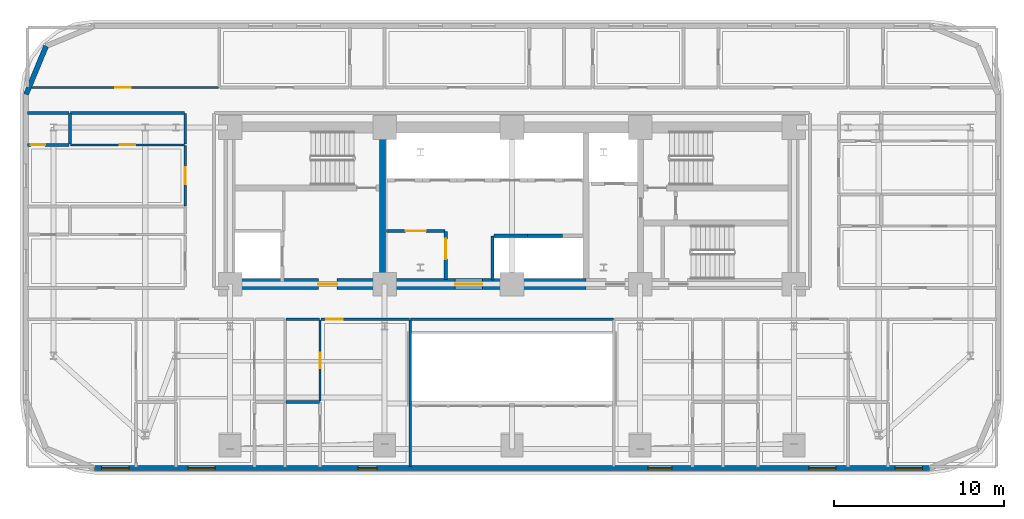
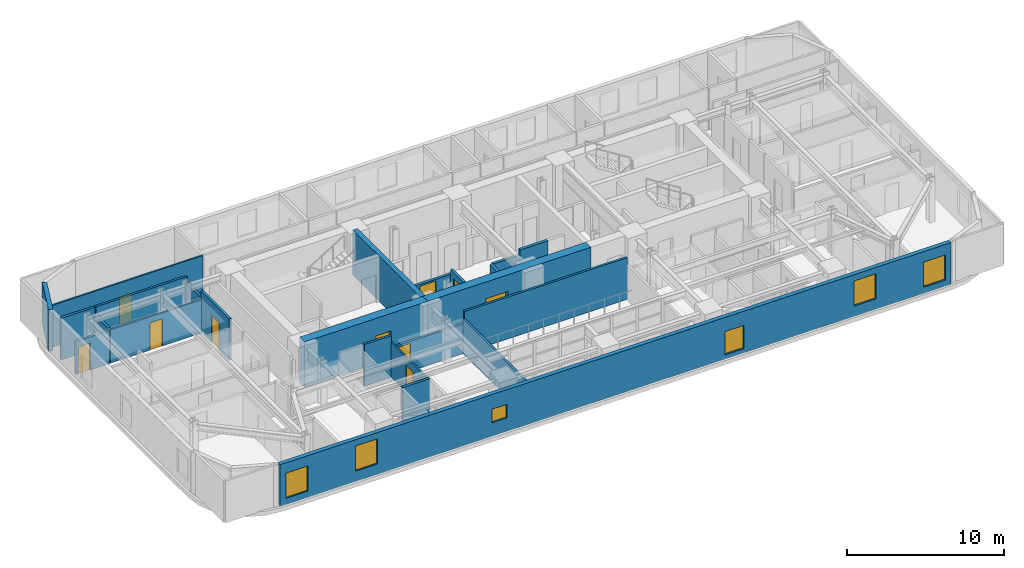
# One storey, part 9 of 16: 24 walls, 10 doors, 6 windows, 16 openings.
"""IFC4 building model written with IfcOpenShell, lengths in metres."""

from ifc_helpers import new_model, si_unit, direction, frame, frame_2d, origin, place, context, subcontext, project, spatial, rectangle, extrude, material, layer, layer_set, type_object, element, fill, save


model = new_model("IFC4")

# Units and contexts
model_context = context("Model", 3, precision=1e-05, world=origin(), true_north=direction((0.0, 1.0)))
body_context = subcontext(model_context, "Body", "Model", "MODEL_VIEW")
ifc_project = project(units=[si_unit("LENGTHUNIT", "METRE"), si_unit("AREAUNIT", "SQUARE_METRE"), si_unit("VOLUMEUNIT", "CUBIC_METRE"), si_unit("PLANEANGLEUNIT", "RADIAN"), si_unit("MASSUNIT", "GRAM", prefix="KILO")], contexts=[model_context])

# Site, building, storey
site_placement = place(None, origin())
site = spatial("IfcSite", under=ifc_project, at=site_placement, CompositionType="ELEMENT")
building_placement = place(site_placement, origin())
building = spatial("IfcBuilding", under=site, at=building_placement, Name="Zarnavel Station Tower", CompositionType="ELEMENT")
storey_placement = place(building_placement, frame((0.0, 0.0, 86.300048828125)))
storey = spatial("IfcBuildingStorey", under=building, at=storey_placement, Name="L23", CompositionType="ELEMENT", Elevation=86.300048828125)

# Wall
ifc_material_1 = material(Name="Concrete C50/60", Category="concrete")
ifc_layer_1 = layer(ifc_material_1, 0.35009765625)
ifc_layer_set_1 = layer_set([ifc_layer_1], Name="CW_350")
wall_type_1 = type_object("IfcWallType", Name="CW_350", PredefinedType="SHEAR", material=ifc_layer_set_1)
wall_1_placement = place(storey_placement, frame((21.179931640625, 28.14501953125, 0.0), z_axis=(0.0, 0.0, 1.0), x_axis=(0.0, 1.0, 0.0)))
element("IfcWall", 1, at=wall_1_placement, inside=storey, type_object=wall_type_1, Name="L23 Rear Core Shear Wall DIV-W", PredefinedType="SHEAR", context=body_context, shape_type="SweptSolid", body=[
    extrude(rectangle(XDim=8.580078125, YDim=0.35009765625, at=frame_2d((4.2900390625, 0.0))), origin(), (0.0, 0.0, 1.0), 3.5),
])

# Wall, opening, door
ifc_material_2 = material(Name="Concrete C60/75", Category="concrete")
ifc_layer_2 = layer(ifc_material_2, 0.64990234375)
ifc_layer_set_2 = layer_set([ifc_layer_2], Name="CW_650")
wall_type_2 = type_object("IfcWallType", Name="CW_650", PredefinedType="SHEAR", material=ifc_layer_set_2)
wall_2_placement = place(storey_placement, frame((21.179931640625, 27.820068359375, 0.0), z_axis=(0.0, 0.0, 1.0), x_axis=(-1.0, 0.0, 0.0)))
wall_2 = element("IfcWall", 2, at=wall_2_placement, inside=storey, type_object=wall_type_2, Name="L23 Rear Core Shear Wall S-W", PredefinedType="SHEAR", context=body_context, shape_type="SweptSolid", body=[
    extrude(rectangle(XDim=9.030029296875, YDim=0.64990234375, at=frame_2d((4.51513671875, 0.0))), origin(), (0.0, 0.0, 1.0), 3.5),
])
opening_1_placement = place(wall_2_placement, frame((2.679931640625, 0.0, 0.0)))
opening_1 = element("IfcOpeningElement", 3, at=opening_1_placement, cuts=wall_2, Name="Opening FD01", PredefinedType="OPENING", context=body_context, shape_type="SweptSolid", body=[
    extrude(rectangle(XDim=1.10009765625, YDim=2.14990234375, at=frame_2d((0.550048828125, 1.074951171875))), frame((0.0, 0.3349609375, 0.0), z_axis=(0.0, -1.0, 0.0), x_axis=(1.0, 0.0, 0.0)), (0.0, 0.0, 1.0), 0.669921875),
])
ifc_material_3 = material(Name="Painted Galvanised Steel and Hardwood Leaf", Category="steel")
door_type_1 = type_object("IfcDoorType", Name="ID_STAIR_1100", OperationType="NOTDEFINED", PredefinedType="DOOR", material=ifc_material_3)
door_1_placement = place(opening_1_placement, origin())
door_1 = element("IfcDoor", 4, at=door_1_placement, inside=storey, type_object=door_type_1, Name="L23 West Firefighting Lobby Door", OperationType="SINGLE_SWING_RIGHT", OverallHeight=2.14990234375, OverallWidth=1.10009765625, PredefinedType="DOOR", context=body_context, shape_type="SweptSolid", body=[
    extrude(rectangle(XDim=1.10009765625, YDim=2.14990234375, at=frame_2d((0.550048828125, 1.074951171875))), frame((0.0, 0.02490234375, 0.0), z_axis=(0.0, -1.0, 0.0), x_axis=(1.0, 0.0, 0.0)), (0.0, 0.0, 1.0), 0.050048828125),
])
fill(opening_1, door_1)

wall_3_placement = place(storey_placement, frame((33.14990234375, 27.820068359375, 0.0), z_axis=(0.0, 0.0, 1.0), x_axis=(-1.0, 0.0, 0.0)))
wall_3 = element("IfcWall", 5, at=wall_3_placement, inside=storey, type_object=wall_type_2, Name="L23 Rear Core Shear Wall S-M", PredefinedType="SHEAR", context=body_context, shape_type="SweptSolid", body=[
    extrude(rectangle(XDim=11.969970703125, YDim=0.64990234375, at=frame_2d((5.98486328125, 0.0))), origin(), (0.0, 0.0, 1.0), 3.5),
])
opening_2_placement = place(wall_3_placement, frame((6.10009765625, 0.0, 0.0)))
opening_2 = element("IfcOpeningElement", 6, at=opening_2_placement, cuts=wall_3, Name="Opening ID03", PredefinedType="OPENING", context=body_context, shape_type="SweptSolid", body=[
    extrude(rectangle(XDim=1.60009765625, YDim=2.199951171875, at=frame_2d((0.800048828125, 1.10009765625))), frame((0.0, 0.3349609375, 0.0), z_axis=(0.0, -1.0, 0.0), x_axis=(1.0, 0.0, 0.0)), (0.0, 0.0, 1.0), 0.669921875),
])
ifc_material_4 = material(Name="Painted Galvanised Steel and Hardwood Leaf", Category="steel")
door_type_2 = type_object("IfcDoorType", Name="ID_PUBLIC_1600", OperationType="DOUBLE_DOOR_SINGLE_SWING", PredefinedType="DOOR", material=ifc_material_4)
door_2_placement = place(opening_2_placement, origin())
door_2 = element("IfcDoor", 7, at=door_2_placement, inside=storey, type_object=door_type_2, Name="L23 Passenger Lift Lobby Double Door", OperationType="SINGLE_SWING_LEFT", OverallHeight=2.199951171875, OverallWidth=1.60009765625, PredefinedType="DOOR", context=body_context, shape_type="SweptSolid", body=[
    extrude(rectangle(XDim=1.60009765625, YDim=2.199951171875, at=frame_2d((0.800048828125, 1.10009765625))), frame((0.0, 0.02490234375, 0.0), z_axis=(0.0, -1.0, 0.0), x_axis=(1.0, 0.0, 0.0)), (0.0, 0.0, 1.0), 0.050048828125),
])
fill(opening_2, door_2)

# Wall
ifc_material_5 = material(Name="Precast concrete C45/55 (Dark Basalt Finish)", Category="masonry")
ifc_layer_3 = layer(ifc_material_5, 0.300048828125)
ifc_layer_set_3 = layer_set([ifc_layer_3], Name="EW_BASALT_300")
wall_type_3 = type_object("IfcWallType", Name="EW_BASALT_300", PredefinedType="SOLIDWALL", material=ifc_layer_set_3)
wall_4_placement = place(storey_placement, frame((0.179931640625, 39.0, 0.0), z_axis=(0.0, 0.0, 1.0), x_axis=(0.382704529509, 0.923870793506, 0.0)))
element("IfcWall", 8, at=wall_4_placement, inside=storey, type_object=wall_type_3, Name="L23 Exterior Basalt Masonry Frame Wall 08", PredefinedType="SOLIDWALL", context=body_context, shape_type="SweptSolid", body=[
    extrude(rectangle(XDim=3.07666015625, YDim=0.300048828125, at=frame_2d((1.538330078125, 0.0))), origin(), (0.0, 0.0, 1.0), 3.239990234375),
])

# Wall, openings, windows
wall_5_placement = place(storey_placement, frame((53.39990234375, 16.97998046875, 0.0), z_axis=(0.0, 0.0, 1.0), x_axis=(-1.0, 0.0, 0.0)))
wall_5 = element("IfcWall", 9, at=wall_5_placement, inside=storey, type_object=wall_type_3, Name="L23 Exterior Basalt Masonry Frame Wall 12", PredefinedType="SOLIDWALL", context=body_context, shape_type="SweptSolid", body=[
    extrude(rectangle(XDim=49.199951171875, YDim=0.300048828125, at=frame_2d((24.60009765625, 0.0))), origin(), (0.0, 0.0, 1.0), 3.239990234375),
])
opening_3_placement = place(wall_5_placement, frame((47.1650390625, 0.0, 0.47998046875)))
opening_3 = element("IfcOpeningElement", 10, at=opening_3_placement, cuts=wall_5, Name="Opening WN06", PredefinedType="OPENING", context=body_context, shape_type="SweptSolid", body=[
    extrude(rectangle(XDim=1.60009765625, YDim=1.949951171875, at=frame_2d((0.800048828125, 0.97509765625))), frame((0.0, 0.159912109375, 0.0), z_axis=(0.0, -1.0, 0.0), x_axis=(1.0, 0.0, 0.0)), (0.0, 0.0, 1.0), 0.320068359375),
])
opening_4_placement = place(wall_5_placement, frame((42.080078125, 0.0, 0.800048828125)))
opening_4 = element("IfcOpeningElement", 11, at=opening_4_placement, cuts=wall_5, Name="Opening WN06", PredefinedType="OPENING", context=body_context, shape_type="SweptSolid", body=[
    extrude(rectangle(XDim=1.60009765625, YDim=1.949951171875, at=frame_2d((0.800048828125, 0.97509765625))), frame((0.0, 0.159912109375, 0.0), z_axis=(0.0, -1.0, 0.0), x_axis=(1.0, 0.0, 0.0)), (0.0, 0.0, 1.0), 0.320068359375),
])
opening_5_placement = place(wall_5_placement, frame((32.560546875, 0.0, 1.050048828125)))
opening_5 = element("IfcOpeningElement", 12, at=opening_5_placement, cuts=wall_5, Name="Opening WN09", PredefinedType="OPENING", context=body_context, shape_type="SweptSolid", body=[
    extrude(rectangle(XDim=1.10009765625, YDim=1.050048828125, at=frame_2d((0.550048828125, 0.52490234375))), frame((0.0, 0.159912109375, 0.0), z_axis=(0.0, -1.0, 0.0), x_axis=(1.0, 0.0, 0.0)), (0.0, 0.0, 1.0), 0.320068359375),
])
opening_6_placement = place(wall_5_placement, frame((15.189453125, 0.0, 0.340087890625)))
opening_6 = element("IfcOpeningElement", 13, at=opening_6_placement, cuts=wall_5, Name="Opening WN01", PredefinedType="OPENING", context=body_context, shape_type="SweptSolid", body=[
    extrude(rectangle(XDim=1.39990234375, YDim=1.800048828125, at=frame_2d((0.699951171875, 0.89990234375))), frame((0.0, 0.159912109375, 0.0), z_axis=(0.0, -1.0, 0.0), x_axis=(1.0, 0.0, 0.0)), (0.0, 0.0, 1.0), 0.320068359375),
])
opening_7_placement = place(wall_5_placement, frame((5.519775390625, 0.0, 0.800048828125)))
opening_7 = element("IfcOpeningElement", 14, at=opening_7_placement, cuts=wall_5, Name="Opening WN06", PredefinedType="OPENING", context=body_context, shape_type="SweptSolid", body=[
    extrude(rectangle(XDim=1.60009765625, YDim=1.949951171875, at=frame_2d((0.800048828125, 0.97509765625))), frame((0.0, 0.159912109375, 0.0), z_axis=(0.0, -1.0, 0.0), x_axis=(1.0, 0.0, 0.0)), (0.0, 0.0, 1.0), 0.320068359375),
])
opening_8_placement = place(wall_5_placement, frame((0.43505859375, 0.0, 0.47998046875)))
opening_8 = element("IfcOpeningElement", 15, at=opening_8_placement, cuts=wall_5, Name="Opening WN06", PredefinedType="OPENING", context=body_context, shape_type="SweptSolid", body=[
    extrude(rectangle(XDim=1.60009765625, YDim=1.949951171875, at=frame_2d((0.800048828125, 0.97509765625))), frame((0.0, 0.159912109375, 0.0), z_axis=(0.0, -1.0, 0.0), x_axis=(1.0, 0.0, 0.0)), (0.0, 0.0, 1.0), 0.320068359375),
])
ifc_material_6 = material(Name="Thermally Broken Black Aluminium and Low-E Dark Glass", Category="aluminium")
window_type_1 = type_object("IfcWindowType", Name="WN_1100x1050", PartitioningType="SINGLE_PANEL", PredefinedType="WINDOW", material=ifc_material_6)
window_1_placement = place(opening_5_placement, origin())
window_1 = element("IfcWindow", 16, at=window_1_placement, inside=storey, type_object=window_type_1, Name="L23 Recessed Facade Window 03", OverallHeight=1.050048828125, OverallWidth=1.10009765625, PartitioningType="SINGLE_PANEL", PredefinedType="WINDOW", context=body_context, shape_type="SweptSolid", body=[
    extrude(rectangle(XDim=1.10009765625, YDim=1.050048828125, at=frame_2d((0.550048828125, 0.52490234375))), frame((0.0, 0.030029296875, 0.0), z_axis=(0.0, -1.0, 0.0), x_axis=(1.0, 0.0, 0.0)), (0.0, 0.0, 1.0), 0.06005859375),
])
fill(opening_5, window_1)
ifc_material_7 = material(Name="Thermally Broken Black Aluminium and Low-E Dark Glass", Category="aluminium")
window_type_2 = type_object("IfcWindowType", Name="WN_1400x1800", PartitioningType="DOUBLE_PANEL_VERTICAL", PredefinedType="WINDOW", material=ifc_material_7)
window_2_placement = place(opening_6_placement, origin())
window_2 = element("IfcWindow", 17, at=window_2_placement, inside=storey, type_object=window_type_2, Name="L23 Recessed Facade Window 04", OverallHeight=1.800048828125, OverallWidth=1.39990234375, PartitioningType="SINGLE_PANEL", PredefinedType="WINDOW", context=body_context, shape_type="SweptSolid", body=[
    extrude(rectangle(XDim=1.39990234375, YDim=1.800048828125, at=frame_2d((0.699951171875, 0.89990234375))), frame((0.0, 0.030029296875, 0.0), z_axis=(0.0, -1.0, 0.0), x_axis=(1.0, 0.0, 0.0)), (0.0, 0.0, 1.0), 0.06005859375),
])
fill(opening_6, window_2)
ifc_material_8 = material(Name="Thermally Broken Black Aluminium and Low-E Dark Glass", Category="aluminium")
window_type_3 = type_object("IfcWindowType", Name="WN_1600x1950", PartitioningType="DOUBLE_PANEL_VERTICAL", PredefinedType="WINDOW", material=ifc_material_8)
window_3_placement = place(opening_3_placement, origin())
window_3 = element("IfcWindow", 18, at=window_3_placement, inside=storey, type_object=window_type_3, Name="L23 Recessed Facade Window 01", OverallHeight=1.949951171875, OverallWidth=1.60009765625, PartitioningType="SINGLE_PANEL", PredefinedType="WINDOW", context=body_context, shape_type="SweptSolid", body=[
    extrude(rectangle(XDim=1.60009765625, YDim=1.949951171875, at=frame_2d((0.800048828125, 0.97509765625))), frame((0.0, 0.030029296875, 0.0), z_axis=(0.0, -1.0, 0.0), x_axis=(1.0, 0.0, 0.0)), (0.0, 0.0, 1.0), 0.06005859375),
])
fill(opening_3, window_3)
window_4_placement = place(opening_4_placement, origin())
window_4 = element("IfcWindow", 19, at=window_4_placement, inside=storey, type_object=window_type_3, Name="L23 Recessed Facade Window 02", OverallHeight=1.949951171875, OverallWidth=1.60009765625, PartitioningType="SINGLE_PANEL", PredefinedType="WINDOW", context=body_context, shape_type="SweptSolid", body=[
    extrude(rectangle(XDim=1.60009765625, YDim=1.949951171875, at=frame_2d((0.800048828125, 0.97509765625))), frame((0.0, 0.030029296875, 0.0), z_axis=(0.0, -1.0, 0.0), x_axis=(1.0, 0.0, 0.0)), (0.0, 0.0, 1.0), 0.06005859375),
])
fill(opening_4, window_4)
window_5_placement = place(opening_7_placement, origin())
window_5 = element("IfcWindow", 20, at=window_5_placement, inside=storey, type_object=window_type_3, Name="L23 Recessed Facade Window 05", OverallHeight=1.949951171875, OverallWidth=1.60009765625, PartitioningType="SINGLE_PANEL", PredefinedType="WINDOW", context=body_context, shape_type="SweptSolid", body=[
    extrude(rectangle(XDim=1.60009765625, YDim=1.949951171875, at=frame_2d((0.800048828125, 0.97509765625))), frame((0.0, 0.030029296875, 0.0), z_axis=(0.0, -1.0, 0.0), x_axis=(1.0, 0.0, 0.0)), (0.0, 0.0, 1.0), 0.06005859375),
])
fill(opening_7, window_5)
window_6_placement = place(opening_8_placement, origin())
window_6 = element("IfcWindow", 21, at=window_6_placement, inside=storey, type_object=window_type_3, Name="L23 Recessed Facade Window 06", OverallHeight=1.949951171875, OverallWidth=1.60009765625, PartitioningType="SINGLE_PANEL", PredefinedType="WINDOW", context=body_context, shape_type="SweptSolid", body=[
    extrude(rectangle(XDim=1.60009765625, YDim=1.949951171875, at=frame_2d((0.800048828125, 0.97509765625))), frame((0.0, 0.030029296875, 0.0), z_axis=(0.0, -1.0, 0.0), x_axis=(1.0, 0.0, 0.0)), (0.0, 0.0, 1.0), 0.06005859375),
])
fill(opening_8, window_6)

# Wall, opening, door
ifc_material_9 = material(Name="Gypsum Twin-Stud Acoustic Fire Partition", Category="concrete")
ifc_layer_4 = layer(ifc_material_9, 0.159912109375)
ifc_layer_set_4 = layer_set([ifc_layer_4], Name="PT_DEMISE_160")
wall_type_4 = type_object("IfcWallType", Name="PT_DEMISE_160", PredefinedType="PARTITIONING", material=ifc_layer_set_4)
wall_6_placement = place(storey_placement, frame((17.541015625, 25.75, 0.0), z_axis=(0.0, 0.0, 1.0), x_axis=(1.0, 0.0, 0.0)))
wall_6 = element("IfcWall", 22, at=wall_6_placement, inside=storey, type_object=wall_type_4, Name="L23 Partition COR-S-HW3R", PredefinedType="PARTITIONING", context=body_context, shape_type="SweptSolid", body=[
    extrude(rectangle(XDim=5.218994140625, YDim=0.159912109375, at=frame_2d((2.609375, 0.0))), origin(), (0.0, 0.0, 1.0), 2.31005859375),
])
opening_9_placement = place(wall_6_placement, frame((0.30419921875, 0.0, 0.0)))
opening_9 = element("IfcOpeningElement", 23, at=opening_9_placement, cuts=wall_6, Name="Opening FD02", PredefinedType="OPENING", context=body_context, shape_type="SweptSolid", body=[
    extrude(rectangle(XDim=1.0, YDim=2.14990234375, at=frame_2d((0.5, 1.074951171875))), frame((0.0, 0.08984375, 0.0), z_axis=(0.0, -1.0, 0.0), x_axis=(1.0, 0.0, 0.0)), (0.0, 0.0, 1.0), 0.179931640625),
])
ifc_material_10 = material(Name="Painted Galvanised Steel and Hardwood Leaf", Category="steel")
door_type_3 = type_object("IfcDoorType", Name="ID_ENTRY_1000", OperationType="NOTDEFINED", PredefinedType="DOOR", material=ifc_material_10)
door_3_placement = place(opening_9_placement, origin())
door_3 = element("IfcDoor", 24, at=door_3_placement, inside=storey, type_object=door_type_3, Name="L23 Door COR-S-HW3R", OperationType="SINGLE_SWING_LEFT", OverallHeight=2.14990234375, OverallWidth=1.0, PredefinedType="DOOR", context=body_context, shape_type="SweptSolid", body=[
    extrude(rectangle(XDim=1.0, YDim=2.14990234375, at=frame_2d((0.5, 1.074951171875))), frame((0.0, 0.02490234375, 0.0), z_axis=(0.0, -1.0, 0.0), x_axis=(1.0, 0.0, 0.0)), (0.0, 0.0, 1.0), 0.050048828125),
])
fill(opening_9, door_3)

# Wall
wall_7_placement = place(storey_placement, frame((15.47998046875, 25.75, 0.0), z_axis=(0.0, 0.0, 1.0), x_axis=(1.0, 0.0, 0.0)))
element("IfcWall", 25, at=wall_7_placement, inside=storey, type_object=wall_type_4, Name="L23 Partition COR-S-HW3S", PredefinedType="PARTITIONING", context=body_context, shape_type="SweptSolid", body=[
    extrude(rectangle(XDim=1.98095703125, YDim=0.159912109375, at=frame_2d((0.990478515625, 0.0))), origin(), (0.0, 0.0, 1.0), 3.239990234375),
])

# Wall, opening, door
wall_8_placement = place(storey_placement, frame((9.550048828125, 32.430908203125, 0.0), z_axis=(0.0, 0.0, 1.0), x_axis=(0.0, 1.0, 0.0)))
wall_8 = element("IfcWall", 26, at=wall_8_placement, inside=storey, type_object=wall_type_4, Name="L23 Partition COR-W-FNW2R", PredefinedType="PARTITIONING", context=body_context, shape_type="SweptSolid", body=[
    extrude(rectangle(XDim=3.55615234375, YDim=0.159912109375, at=frame_2d((1.778076171875, 0.0))), origin(), (0.0, 0.0, 1.0), 3.239990234375),
])
opening_10_placement = place(wall_8_placement, frame((1.278076171875, 0.0, 0.0)))
opening_10 = element("IfcOpeningElement", 27, at=opening_10_placement, cuts=wall_8, Name="Opening FD02", PredefinedType="OPENING", context=body_context, shape_type="SweptSolid", body=[
    extrude(rectangle(XDim=1.0, YDim=2.14990234375, at=frame_2d((0.5, 1.074951171875))), frame((0.0, 0.08984375, 0.0), z_axis=(0.0, -1.0, 0.0), x_axis=(1.0, 0.0, 0.0)), (0.0, 0.0, 1.0), 0.179931640625),
])
door_4_placement = place(opening_10_placement, origin())
door_4 = element("IfcDoor", 28, at=door_4_placement, inside=storey, type_object=door_type_3, Name="L23 Door COR-W-FNW2R", OperationType="SINGLE_SWING_RIGHT", OverallHeight=2.14990234375, OverallWidth=1.0, PredefinedType="DOOR", context=body_context, shape_type="SweptSolid", body=[
    extrude(rectangle(XDim=1.0, YDim=2.14990234375, at=frame_2d((0.5, 1.074951171875))), frame((0.0, 0.02490234375, 0.0), z_axis=(0.0, -1.0, 0.0), x_axis=(1.0, 0.0, 0.0)), (0.0, 0.0, 1.0), 0.050048828125),
])
fill(opening_10, door_4)

# Walls
wall_9_placement = place(storey_placement, frame((9.550048828125, 36.06689453125, 0.0), z_axis=(0.0, 0.0, 1.0), x_axis=(0.0, 1.0, 0.0)))
element("IfcWall", 29, at=wall_9_placement, inside=storey, type_object=wall_type_4, Name="L23 Partition COR-W-FNW2S", PredefinedType="PARTITIONING", context=body_context, shape_type="SweptSolid", body=[
    extrude(rectangle(XDim=1.793212890625, YDim=0.159912109375, at=frame_2d((0.896484375, 0.0))), origin(), (0.0, 0.0, 1.0), 2.719970703125),
])
wall_10_placement = place(storey_placement, frame((2.800048828125, 37.89990234375, 0.0), z_axis=(0.0, 0.0, 1.0), x_axis=(1.0, 0.0, 0.0)))
element("IfcWall", 30, at=wall_10_placement, inside=storey, type_object=wall_type_4, Name="L23 Partition COR-N-FNW2S", PredefinedType="PARTITIONING", context=body_context, shape_type="SweptSolid", body=[
    extrude(rectangle(XDim=6.7099609375, YDim=0.159912109375, at=frame_2d((3.35498046875, 0.0))), origin(), (0.0, 0.0, 1.0), 3.239990234375),
])
wall_11_placement = place(storey_placement, frame((22.830078125, 25.75, 0.0), z_axis=(0.0, 0.0, 1.0), x_axis=(1.0, 0.0, 0.0)))
element("IfcWall", 31, at=wall_11_placement, inside=storey, type_object=wall_type_4, Name="L23 Enclosure Wall COR-S", PredefinedType="PARTITIONING", context=body_context, shape_type="SweptSolid", body=[
    extrude(rectangle(XDim=11.93994140625, YDim=0.159912109375, at=frame_2d((5.969970703125, 0.0))), origin(), (0.0, 0.0, 1.0), 3.239990234375),
])
wall_12_placement = place(storey_placement, frame((22.800048828125, 17.090087890625, 0.0), z_axis=(0.0, 0.0, 1.0), x_axis=(0.0, 1.0, 0.0)))
element("IfcWall", 32, at=wall_12_placement, inside=storey, type_object=wall_type_4, Name="L23 Enclosure Wall HW3R", PredefinedType="PARTITIONING", context=body_context, shape_type="SweptSolid", body=[
    extrude(rectangle(XDim=8.6298828125, YDim=0.159912109375, at=frame_2d((4.31494140625, 0.0))), origin(), (0.0, 0.0, 1.0), 2.679931640625),
])

# Wall, opening, door
ifc_material_11 = material(Name="Gypsum Metal-Stud Interior Partition", Category="concrete")
ifc_layer_5 = layer(ifc_material_11, 0.1201171875)
ifc_layer_set_5 = layer_set([ifc_layer_5], Name="PT_ROOM_120")
wall_type_5 = type_object("IfcWallType", Name="PT_ROOM_120", PredefinedType="PARTITIONING", material=ifc_layer_set_5)
wall_13_placement = place(storey_placement, frame((0.260009765625, 39.39990234375, 0.0), z_axis=(0.0, 0.0, 1.0), x_axis=(1.0, 0.0, 0.0)))
wall_13 = element("IfcWall", 33, at=wall_13_placement, inside=storey, type_object=wall_type_5, Name="L23 Partition COR-N-HSKP", PredefinedType="PARTITIONING", context=body_context, shape_type="SweptSolid", body=[
    extrude(rectangle(XDim=11.260009765625, YDim=0.1201171875, at=frame_2d((5.6298828125, 0.0))), origin(), (0.0, 0.0, 1.0), 3.239990234375),
])
opening_11_placement = place(wall_13_placement, frame((5.179931640625, 0.0, 0.0)))
opening_11 = element("IfcOpeningElement", 34, at=opening_11_placement, cuts=wall_13, Name="Opening ID01", PredefinedType="OPENING", context=body_context, shape_type="SweptSolid", body=[
    extrude(rectangle(XDim=0.89990234375, YDim=2.10009765625, at=frame_2d((0.449951171875, 1.050048828125))), frame((0.0, 0.070068359375, 0.0), z_axis=(0.0, -1.0, 0.0), x_axis=(1.0, 0.0, 0.0)), (0.0, 0.0, 1.0), 0.14013671875),
])
ifc_material_12 = material(Name="Painted Galvanised Steel and Hardwood Leaf", Category="steel")
door_type_4 = type_object("IfcDoorType", Name="ID_ROOM_900", OperationType="NOTDEFINED", PredefinedType="DOOR", material=ifc_material_12)
door_5_placement = place(opening_11_placement, origin())
door_5 = element("IfcDoor", 35, at=door_5_placement, inside=storey, type_object=door_type_4, Name="L23 Door COR-N-HSKP", OperationType="SINGLE_SWING_LEFT", OverallHeight=2.10009765625, OverallWidth=0.89990234375, PredefinedType="DOOR", context=body_context, shape_type="SweptSolid", body=[
    extrude(rectangle(XDim=0.89990234375, YDim=2.10009765625, at=frame_2d((0.449951171875, 1.050048828125))), frame((0.0, 0.02490234375, 0.0), z_axis=(0.0, -1.0, 0.0), x_axis=(1.0, 0.0, 0.0)), (0.0, 0.0, 1.0), 0.050048828125),
])
fill(opening_11, door_5)

wall_14_placement = place(storey_placement, frame((2.800048828125, 36.027099609375, 0.0), z_axis=(0.0, 0.0, 1.0), x_axis=(1.0, 0.0, 0.0)))
wall_14 = element("IfcWall", 36, at=wall_14_placement, inside=storey, type_object=wall_type_5, Name="L23 Partition FNW2R-FNW2S", PredefinedType="PARTITIONING", context=body_context, shape_type="SweptSolid", body=[
    extrude(rectangle(XDim=6.7099609375, YDim=0.1201171875, at=frame_2d((3.35498046875, 0.0))), origin(), (0.0, 0.0, 1.0), 2.570068359375),
])
opening_12_placement = place(wall_14_placement, frame((2.905029296875, 0.0, 0.0)))
opening_12 = element("IfcOpeningElement", 37, at=opening_12_placement, cuts=wall_14, Name="Opening ID01", PredefinedType="OPENING", context=body_context, shape_type="SweptSolid", body=[
    extrude(rectangle(XDim=0.89990234375, YDim=2.10009765625, at=frame_2d((0.449951171875, 1.050048828125))), frame((0.0, 0.070068359375, 0.0), z_axis=(0.0, -1.0, 0.0), x_axis=(1.0, 0.0, 0.0)), (0.0, 0.0, 1.0), 0.14013671875),
])
door_6_placement = place(opening_12_placement, origin())
door_6 = element("IfcDoor", 38, at=door_6_placement, inside=storey, type_object=door_type_4, Name="L23 Door FNW2R-FNW2S", OperationType="SINGLE_SWING_RIGHT", OverallHeight=2.10009765625, OverallWidth=0.89990234375, PredefinedType="DOOR", context=body_context, shape_type="SweptSolid", body=[
    extrude(rectangle(XDim=0.89990234375, YDim=2.10009765625, at=frame_2d((0.449951171875, 1.050048828125))), frame((0.0, 0.02490234375, 0.0), z_axis=(0.0, -1.0, 0.0), x_axis=(1.0, 0.0, 0.0)), (0.0, 0.0, 1.0), 0.050048828125),
])
fill(opening_12, door_6)

wall_15_placement = place(storey_placement, frame((17.5009765625, 20.924072265625, 0.0), z_axis=(0.0, 0.0, 1.0), x_axis=(0.0, 1.0, 0.0)))
wall_15 = element("IfcWall", 39, at=wall_15_placement, inside=storey, type_object=wall_type_5, Name="L23 Partition HW3R-HW3S", PredefinedType="PARTITIONING", context=body_context, shape_type="SweptSolid", body=[
    extrude(rectangle(XDim=4.785888671875, YDim=0.1201171875, at=frame_2d((2.39306640625, 0.0))), origin(), (0.0, 0.0, 1.0), 2.719970703125),
])
opening_13_placement = place(wall_15_placement, frame((1.943115234375, 0.0, 0.0)))
opening_13 = element("IfcOpeningElement", 40, at=opening_13_placement, cuts=wall_15, Name="Opening ID01", PredefinedType="OPENING", context=body_context, shape_type="SweptSolid", body=[
    extrude(rectangle(XDim=0.89990234375, YDim=2.10009765625, at=frame_2d((0.449951171875, 1.050048828125))), frame((0.0, 0.070068359375, 0.0), z_axis=(0.0, -1.0, 0.0), x_axis=(1.0, 0.0, 0.0)), (0.0, 0.0, 1.0), 0.14013671875),
])
door_7_placement = place(opening_13_placement, origin())
door_7 = element("IfcDoor", 41, at=door_7_placement, inside=storey, type_object=door_type_4, Name="L23 Door HW3R-HW3S", OperationType="SINGLE_SWING_LEFT", OverallHeight=2.10009765625, OverallWidth=0.89990234375, PredefinedType="DOOR", context=body_context, shape_type="SweptSolid", body=[
    extrude(rectangle(XDim=0.89990234375, YDim=2.10009765625, at=frame_2d((0.449951171875, 1.050048828125))), frame((0.0, 0.02490234375, 0.0), z_axis=(0.0, -1.0, 0.0), x_axis=(1.0, 0.0, 0.0)), (0.0, 0.0, 1.0), 0.050048828125),
])
fill(opening_13, door_7)

# Walls
ifc_material_13 = material(Name="Precast concrete C45/55 (Fire Shaft Blockwork)", Category="masonry")
ifc_layer_6 = layer(ifc_material_13, 0.199951171875)
ifc_layer_set_6 = layer_set([ifc_layer_6], Name="PT_SHAFT_200")
wall_type_6 = type_object("IfcWallType", Name="PT_SHAFT_200", PredefinedType="PARTITIONING", material=ifc_layer_set_6)
wall_16_placement = place(storey_placement, frame((27.75, 30.669921875, 0.0), z_axis=(0.0, 0.0, 1.0), x_axis=(1.0, 0.0, 0.0)))
element("IfcWall", 42, at=wall_16_placement, inside=storey, type_object=wall_type_6, Name="L23 Lift PL-H1 Shaft Front Wall", PredefinedType="PARTITIONING", context=body_context, shape_type="SweptSolid", body=[
    extrude(rectangle(XDim=1.97509765625, YDim=0.199951171875, at=frame_2d((0.987548828125, 0.0))), origin(), (0.0, 0.0, 1.0), 2.2119140625),
])
wall_17_placement = place(storey_placement, frame((27.64990234375, 28.070068359375, 0.0), z_axis=(0.0, 0.0, 1.0), x_axis=(0.0, 1.0, 0.0)))
element("IfcWall", 43, at=wall_17_placement, inside=storey, type_object=wall_type_6, Name="L23 High-Rise Lift Bank West Shaft Wall", PredefinedType="PARTITIONING", context=body_context, shape_type="SweptSolid", body=[
    extrude(rectangle(XDim=2.579833984375, YDim=0.199951171875, at=frame_2d((1.2900390625, 0.0))), origin(), (0.0, 0.0, 1.0), 2.2119140625),
])
wall_18_placement = place(storey_placement, frame((29.72509765625, 30.669921875, 0.0), z_axis=(0.0, 0.0, 1.0), x_axis=(1.0, 0.0, 0.0)))
element("IfcWall", 44, at=wall_18_placement, inside=storey, type_object=wall_type_6, Name="L23 Lift PL-H2 Shaft Front Wall", PredefinedType="PARTITIONING", context=body_context, shape_type="SweptSolid", body=[
    extrude(rectangle(XDim=2.0498046875, YDim=0.199951171875, at=frame_2d((1.02490234375, 0.0))), origin(), (0.0, 0.0, 1.0), 2.619873046875),
])

# Wall, opening, door
wall_19_placement = place(storey_placement, frame((21.39990234375, 30.949951171875, 0.0), z_axis=(0.0, 0.0, 1.0), x_axis=(1.0, 0.0, 0.0)))
wall_19 = element("IfcWall", 45, at=wall_19_placement, inside=storey, type_object=wall_type_6, Name="L23 Partition LLOB-CS1", PredefinedType="PARTITIONING", context=body_context, shape_type="SweptSolid", body=[
    extrude(rectangle(XDim=3.460205078125, YDim=0.199951171875, at=frame_2d((1.72998046875, 0.0))), origin(), (0.0, 0.0, 1.0), 2.280029296875),
])
opening_14_placement = place(wall_19_placement, frame((1.1298828125, 0.0, 0.0)))
opening_14 = element("IfcOpeningElement", 46, at=opening_14_placement, cuts=wall_19, Name="Opening FD03", PredefinedType="OPENING", context=body_context, shape_type="SweptSolid", body=[
    extrude(rectangle(XDim=1.199951171875, YDim=2.14990234375, at=frame_2d((0.60009765625, 1.074951171875))), frame((0.0, 0.10986328125, 0.0), z_axis=(0.0, -1.0, 0.0), x_axis=(1.0, 0.0, 0.0)), (0.0, 0.0, 1.0), 0.219970703125),
])
ifc_material_14 = material(Name="Painted Galvanised Steel and Hardwood Leaf", Category="steel")
door_type_5 = type_object("IfcDoorType", Name="ID_PLANT_1200", OperationType="NOTDEFINED", PredefinedType="DOOR", material=ifc_material_14)
door_8_placement = place(opening_14_placement, origin())
door_8 = element("IfcDoor", 47, at=door_8_placement, inside=storey, type_object=door_type_5, Name="L23 Door LLOB-CS1", OperationType="SINGLE_SWING_LEFT", OverallHeight=2.14990234375, OverallWidth=1.199951171875, PredefinedType="DOOR", context=body_context, shape_type="SweptSolid", body=[
    extrude(rectangle(XDim=1.199951171875, YDim=2.14990234375, at=frame_2d((0.60009765625, 1.074951171875))), frame((0.0, 0.02490234375, 0.0), z_axis=(0.0, -1.0, 0.0), x_axis=(1.0, 0.0, 0.0)), (0.0, 0.0, 1.0), 0.050048828125),
])
fill(opening_14, door_8)

wall_20_placement = place(storey_placement, frame((24.89990234375, 28.090087890625, 0.0), z_axis=(0.0, 0.0, 1.0), x_axis=(0.0, 1.0, 0.0)))
wall_20 = element("IfcWall", 48, at=wall_20_placement, inside=storey, type_object=wall_type_6, Name="L23 Partition LLOBS-CS1", PredefinedType="PARTITIONING", context=body_context, shape_type="SweptSolid", body=[
    extrude(rectangle(XDim=2.81982421875, YDim=0.199951171875, at=frame_2d((1.409912109375, 0.0))), origin(), (0.0, 0.0, 1.0), 2.619873046875),
])
opening_15_placement = place(wall_20_placement, frame((1.20068359375, 0.0, 0.0)))
opening_15 = element("IfcOpeningElement", 49, at=opening_15_placement, cuts=wall_20, Name="Opening FD03", PredefinedType="OPENING", context=body_context, shape_type="SweptSolid", body=[
    extrude(rectangle(XDim=1.199951171875, YDim=2.14990234375, at=frame_2d((0.60009765625, 1.074951171875))), frame((0.0, 0.10986328125, 0.0), z_axis=(0.0, -1.0, 0.0), x_axis=(1.0, 0.0, 0.0)), (0.0, 0.0, 1.0), 0.219970703125),
])
door_9_placement = place(opening_15_placement, origin())
door_9 = element("IfcDoor", 50, at=door_9_placement, inside=storey, type_object=door_type_5, Name="L23 Door LLOBS-CS1", OperationType="SINGLE_SWING_RIGHT", OverallHeight=2.14990234375, OverallWidth=1.199951171875, PredefinedType="DOOR", context=body_context, shape_type="SweptSolid", body=[
    extrude(rectangle(XDim=1.199951171875, YDim=2.14990234375, at=frame_2d((0.60009765625, 1.074951171875))), frame((0.0, 0.02490234375, 0.0), z_axis=(0.0, -1.0, 0.0), x_axis=(1.0, 0.0, 0.0)), (0.0, 0.0, 1.0), 0.050048828125),
])
fill(opening_15, door_9)

# Wall
ifc_material_15 = material(Name="Moisture-Resistant Plumbing Chase Wall", Category="concrete")
ifc_layer_7 = layer(ifc_material_15, 0.179931640625)
ifc_layer_set_7 = layer_set([ifc_layer_7], Name="PW_PLUMB_180")
wall_type_7 = type_object("IfcWallType", Name="PW_PLUMB_180", PredefinedType="PLUMBINGWALL", material=ifc_layer_set_7)
wall_21_placement = place(storey_placement, frame((0.260009765625, 37.89990234375, 0.0), z_axis=(0.0, 0.0, 1.0), x_axis=(1.0, 0.0, 0.0)))
element("IfcWall", 51, at=wall_21_placement, inside=storey, type_object=wall_type_7, Name="L23 Partition COR-N-FNW2B", PredefinedType="PLUMBINGWALL", context=body_context, shape_type="SweptSolid", body=[
    extrude(rectangle(XDim=2.4599609375, YDim=0.179931640625, at=frame_2d((1.22998046875, 0.0))), origin(), (0.0, 0.0, 1.0), 3.239990234375),
])

# Wall, opening, door
wall_22_placement = place(storey_placement, frame((0.260009765625, 36.027099609375, 0.0), z_axis=(0.0, 0.0, 1.0), x_axis=(1.0, 0.0, 0.0)))
wall_22 = element("IfcWall", 52, at=wall_22_placement, inside=storey, type_object=wall_type_7, Name="L23 Partition FNW2R-FNW2B", PredefinedType="PLUMBINGWALL", context=body_context, shape_type="SweptSolid", body=[
    extrude(rectangle(XDim=2.4599609375, YDim=0.179931640625, at=frame_2d((1.22998046875, 0.0))), origin(), (0.0, 0.0, 1.0), 2.570068359375),
])
opening_16_placement = place(wall_22_placement, frame((0.1953125, 0.0, 0.0)))
opening_16 = element("IfcOpeningElement", 53, at=opening_16_placement, cuts=wall_22, Name="Opening ID02", PredefinedType="OPENING", context=body_context, shape_type="SweptSolid", body=[
    extrude(rectangle(XDim=0.85009765625, YDim=2.10009765625, at=frame_2d((0.425048828125, 1.050048828125))), frame((0.0, 0.099853515625, 0.0), z_axis=(0.0, -1.0, 0.0), x_axis=(1.0, 0.0, 0.0)), (0.0, 0.0, 1.0), 0.199951171875),
])
ifc_material_16 = material(Name="Painted Galvanised Steel and Hardwood Leaf", Category="steel")
door_type_6 = type_object("IfcDoorType", Name="ID_BATH_850", OperationType="NOTDEFINED", PredefinedType="DOOR", material=ifc_material_16)
door_10_placement = place(opening_16_placement, origin())
door_10 = element("IfcDoor", 54, at=door_10_placement, inside=storey, type_object=door_type_6, Name="L23 Door FNW2R-FNW2B", OperationType="SINGLE_SWING_LEFT", OverallHeight=2.10009765625, OverallWidth=0.85009765625, PredefinedType="DOOR", context=body_context, shape_type="SweptSolid", body=[
    extrude(rectangle(XDim=0.85009765625, YDim=2.10009765625, at=frame_2d((0.425048828125, 1.050048828125))), frame((0.0, 0.02490234375, 0.0), z_axis=(0.0, -1.0, 0.0), x_axis=(1.0, 0.0, 0.0)), (0.0, 0.0, 1.0), 0.050048828125),
])
fill(opening_16, door_10)

# Walls
wall_23_placement = place(storey_placement, frame((2.760009765625, 36.06689453125, 0.0), z_axis=(0.0, 0.0, 1.0), x_axis=(0.0, 1.0, 0.0)))
element("IfcWall", 55, at=wall_23_placement, inside=storey, type_object=wall_type_7, Name="L23 Partition FNW2B-FNW2S", PredefinedType="PLUMBINGWALL", context=body_context, shape_type="SweptSolid", body=[
    extrude(rectangle(XDim=1.793212890625, YDim=0.179931640625, at=frame_2d((0.896484375, 0.0))), origin(), (0.0, 0.0, 1.0), 2.719970703125),
])
wall_24_placement = place(storey_placement, frame((15.47998046875, 20.884033203125, 0.0), z_axis=(0.0, 0.0, 1.0), x_axis=(1.0, 0.0, 0.0)))
element("IfcWall", 56, at=wall_24_placement, inside=storey, type_object=wall_type_7, Name="L23 Partition HW3B-HW3S", PredefinedType="PLUMBINGWALL", context=body_context, shape_type="SweptSolid", body=[
    extrude(rectangle(XDim=1.98095703125, YDim=0.179931640625, at=frame_2d((0.990478515625, 0.0))), origin(), (0.0, 0.0, 1.0), 2.869873046875),
])

save(model, "model.ifc")
